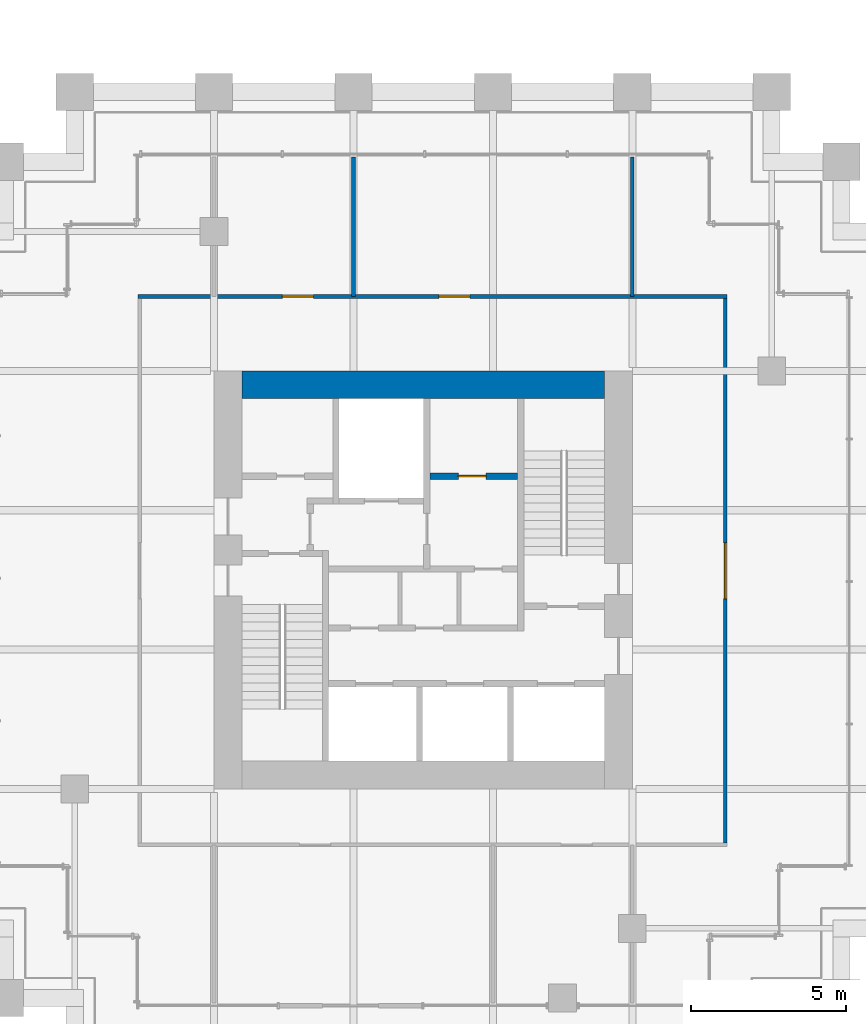
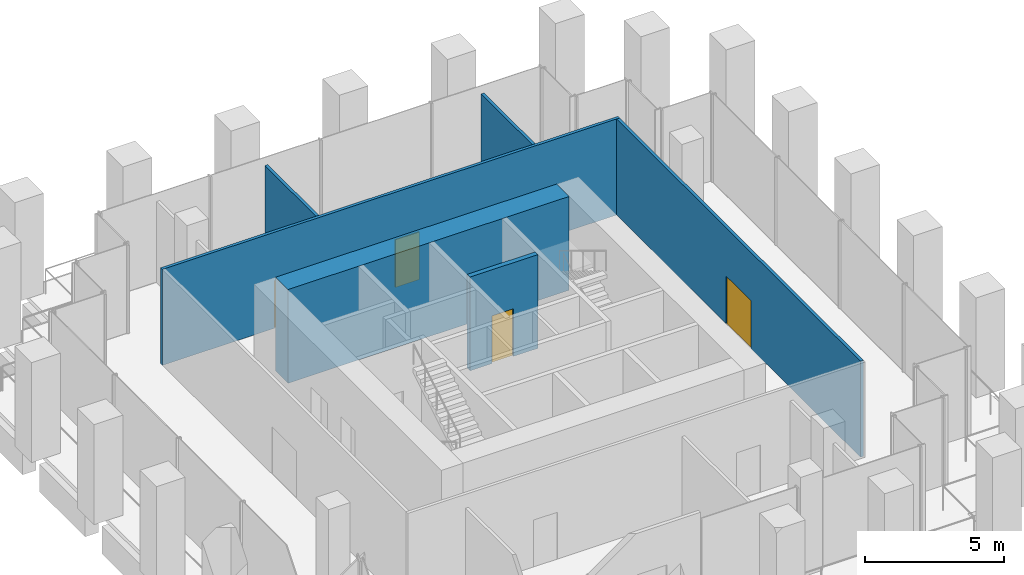
# One storey, part 33 of 36: 6 walls, 4 doors, 4 openings.
"""IFC4 building model written with IfcOpenShell, lengths in metres."""

from ifc_helpers import new_model, si_unit, direction, frame, frame_2d, origin, place, context, subcontext, project, spatial, rectangle, extrude, material, layer, layer_set, type_object, element, fill, save


model = new_model("IFC4")

# Units and contexts
model_context = context("Model", 3, precision=1e-05, world=origin(), true_north=direction((0.0, 1.0)))
body_context = subcontext(model_context, "Body", "Model", "MODEL_VIEW")
ifc_project = project(units=[si_unit("LENGTHUNIT", "METRE"), si_unit("AREAUNIT", "SQUARE_METRE"), si_unit("VOLUMEUNIT", "CUBIC_METRE"), si_unit("PLANEANGLEUNIT", "RADIAN"), si_unit("MASSUNIT", "GRAM", prefix="KILO")], contexts=[model_context])

# Site, building, storey
site_placement = place(None, origin())
site = spatial("IfcSite", under=ifc_project, at=site_placement, CompositionType="ELEMENT")
building_placement = place(site_placement, origin())
building = spatial("IfcBuilding", under=site, at=building_placement, Name="Altepetl Exchange Towers", CompositionType="ELEMENT")
storey_placement = place(building_placement, frame((0.0, 0.0, 25.39990234375)))
storey = spatial("IfcBuildingStorey", under=building, at=storey_placement, Name="L05", CompositionType="ELEMENT", Elevation=25.39990234375)

# Wall
ifc_material_1 = material(Name="Concrete C70/85", Category="concrete")
ifc_layer_1 = layer(ifc_material_1, 0.89990234375)
ifc_layer_set_1 = layer_set([ifc_layer_1], Name="Concrete C70/85")
wall_type_1 = type_object("IfcWallType", Name="Core wall 900 reinforced concrete", PredefinedType="SHEAR", material=ifc_layer_set_1)
wall_1_placement = place(storey_placement, frame((104.39990234375, 49.050048828125, 0.0)))
element("IfcWall", 1, at=wall_1_placement, inside=storey, type_object=wall_type_1, Name="wall:B:L05:K-coreN", PredefinedType="SHEAR", context=body_context, shape_type="SweptSolid", body=[
    extrude(rectangle(XDim=11.7001953125, YDim=0.89990234375, at=frame_2d((5.85009765625, 0.0))), origin(), (0.0, 0.0, 1.0), 4.125),
])

# Wall, openings, doors
ifc_material_2 = material(Name="Gypsum board on steel studs", Category="steel")
ifc_layer_2 = layer(ifc_material_2, 0.125)
ifc_layer_set_2 = layer_set([ifc_layer_2], Name="Gypsum board on steel studs")
wall_type_2 = type_object("IfcWallType", Name="Partition 125 gypsum board on steel studs", PredefinedType="PARTITIONING", material=ifc_layer_set_2)
wall_2_placement = place(storey_placement, frame((101.03759765625, 51.89990234375, 0.0)))
wall_2 = element("IfcWall", 2, at=wall_2_placement, inside=storey, type_object=wall_type_2, Name="wall:B:L05:P02", PredefinedType="PARTITIONING", context=body_context, shape_type="SweptSolid", body=[
    extrude(rectangle(XDim=19.02490234375, YDim=0.125, at=frame_2d((9.512451171875, 0.0))), origin(), (0.0, 0.0, 1.0), 4.22509765625),
])
opening_1_placement = place(wall_2_placement, frame((9.719482421875, 0.0, 0.0)))
opening_1 = element("IfcOpeningElement", 3, at=opening_1_placement, cuts=wall_2, Name="Opening L05.B05", PredefinedType="OPENING", context=body_context, shape_type="SweptSolid", body=[
    extrude(rectangle(XDim=1.0, YDim=2.10009765625, at=frame_2d((0.5, 1.050048828125))), frame((0.0, 0.072509765625, 0.0), z_axis=(0.0, -1.0, 0.0), x_axis=(1.0, 0.0, 0.0)), (0.0, 0.0, 1.0), 0.14501953125),
])
opening_2_placement = place(wall_2_placement, frame((4.66748046875, 0.0, 0.0)))
opening_2 = element("IfcOpeningElement", 4, at=opening_2_placement, cuts=wall_2, Name="Opening L05.B06", PredefinedType="OPENING", context=body_context, shape_type="SweptSolid", body=[
    extrude(rectangle(XDim=1.0, YDim=2.10009765625, at=frame_2d((0.5, 1.050048828125))), frame((0.0, 0.072509765625, 0.0), z_axis=(0.0, -1.0, 0.0), x_axis=(1.0, 0.0, 0.0)), (0.0, 0.0, 1.0), 0.14501953125),
])
ifc_material_3 = material(Name="Steel and timber fire door", Category="steel")
door_type_1 = type_object("IfcDoorType", Name="Fire door 1000 x 2100 single leaf", OperationType="SINGLE_SWING_LEFT", PredefinedType="DOOR", material=ifc_material_3)
door_1_placement = place(opening_1_placement, origin())
door_1 = element("IfcDoor", 5, at=door_1_placement, inside=storey, type_object=door_type_1, Name="door:B:L05:05", OperationType="SINGLE_SWING_LEFT", OverallHeight=2.10009765625, OverallWidth=1.0, PredefinedType="DOOR", context=body_context, shape_type="SweptSolid", body=[
    extrude(rectangle(XDim=1.0, YDim=2.10009765625, at=frame_2d((0.5, 1.050048828125))), frame((0.0, 0.02490234375, 0.0), z_axis=(0.0, -1.0, 0.0), x_axis=(1.0, 0.0, 0.0)), (0.0, 0.0, 1.0), 0.050048828125),
])
fill(opening_1, door_1)
door_2_placement = place(opening_2_placement, origin())
door_2 = element("IfcDoor", 6, at=door_2_placement, inside=storey, type_object=door_type_1, Name="door:B:L05:06", OperationType="SINGLE_SWING_LEFT", OverallHeight=2.10009765625, OverallWidth=1.0, PredefinedType="DOOR", context=body_context, shape_type="SweptSolid", body=[
    extrude(rectangle(XDim=1.0, YDim=2.10009765625, at=frame_2d((0.5, 1.050048828125))), frame((0.0, 0.02490234375, 0.0), z_axis=(0.0, -1.0, 0.0), x_axis=(1.0, 0.0, 0.0)), (0.0, 0.0, 1.0), 0.050048828125),
])
fill(opening_2, door_2)

# Walls
for number, where, z_axis, x_axis, name in (
    (7, (108.0, 51.89990234375, 0.0), (0.0, 0.0, 1.0), (0.0, 1.0, 0.0), "wall:B:L05:P07"),
    (8, (117.0, 51.89990234375, 0.0), (0.0, 0.0, 1.0), (0.0, 1.0, 0.0), "wall:B:L05:P11"),
):
    element("IfcWall", number, at=place(storey_placement, frame(where, z_axis=z_axis, x_axis=x_axis)), inside=storey, type_object=wall_type_2, Name=name, PredefinedType="PARTITIONING", context=body_context, shape_type="SweptSolid", body=[
        extrude(rectangle(XDim=4.5, YDim=0.125, at=frame_2d((2.25, 0.0))), origin(), (0.0, 0.0, 1.0), 3.613037109375),
    ])

# Wall, opening, door
wall_3_placement = place(storey_placement, frame((120.0, 34.262451171875, 0.0), z_axis=(0.0, 0.0, 1.0), x_axis=(0.0, 1.0, 0.0)))
wall_3 = element("IfcWall", 9, at=wall_3_placement, inside=storey, type_object=wall_type_2, Name="wall:B:L05:P12", PredefinedType="PARTITIONING", context=body_context, shape_type="SweptSolid", body=[
    extrude(rectangle(XDim=17.574951171875, YDim=0.125, at=frame_2d((8.78759765625, 0.0))), origin(), (0.0, 0.0, 1.0), 4.22509765625),
])
opening_3_placement = place(wall_3_placement, frame((7.887451171875, 0.0, 0.0)))
opening_3 = element("IfcOpeningElement", 10, at=opening_3_placement, cuts=wall_3, Name="Opening L05.B04", PredefinedType="OPENING", context=body_context, shape_type="SweptSolid", body=[
    extrude(rectangle(XDim=1.800048828125, YDim=2.10009765625, at=frame_2d((0.89990234375, 1.050048828125))), frame((0.0, 0.072509765625, 0.0), z_axis=(0.0, -1.0, 0.0), x_axis=(1.0, 0.0, 0.0)), (0.0, 0.0, 1.0), 0.14501953125),
])
door_type_2 = type_object("IfcDoorType", Name="Fire door 1800 x 2100 double leaf", OperationType="DOUBLE_DOOR_SINGLE_SWING", PredefinedType="DOOR", material=ifc_material_3)
door_3_placement = place(opening_3_placement, frame((1.800048828125, 0.0, 0.0), x_axis=(-1.0, 0.0, 0.0)))
door_3 = element("IfcDoor", 11, at=door_3_placement, inside=storey, type_object=door_type_2, Name="door:B:L05:04", OperationType="DOUBLE_DOOR_SINGLE_SWING", OverallHeight=2.10009765625, OverallWidth=1.800048828125, PredefinedType="DOOR", context=body_context, shape_type="SweptSolid", body=[
    extrude(rectangle(XDim=1.800048828125, YDim=2.10009765625, at=frame_2d((0.89990234375, 1.050048828125))), frame((0.0, 0.02490234375, 0.0), z_axis=(0.0, -1.0, 0.0), x_axis=(1.0, 0.0, 0.0)), (0.0, 0.0, 1.0), 0.050048828125),
])
fill(opening_3, door_3)

ifc_material_4 = material(Name="Concrete C40/50", Category="concrete")
ifc_layer_3 = layer(ifc_material_4, 0.199951171875)
ifc_layer_set_3 = layer_set([ifc_layer_3], Name="Concrete C40/50")
wall_type_3 = type_object("IfcWallType", Name="Shaft wall 200 reinforced concrete", PredefinedType="SHEAR", material=ifc_layer_set_3)
wall_4_placement = place(storey_placement, frame((110.466796875, 46.10009765625, 0.0)))
wall_4 = element("IfcWall", 12, at=wall_4_placement, inside=storey, type_object=wall_type_3, Name="wall:B:L05:K-frontNb", PredefinedType="SHEAR", context=body_context, shape_type="SweptSolid", body=[
    extrude(rectangle(XDim=2.833251953125, YDim=0.199951171875, at=frame_2d((1.41650390625, 0.0))), origin(), (0.0, 0.0, 1.0), 4.125),
])
opening_4_placement = place(wall_4_placement, frame((0.91650390625, 0.0, 0.0)))
opening_4 = element("IfcOpeningElement", 13, at=opening_4_placement, cuts=wall_4, Name="Opening L05.B69", PredefinedType="OPENING", context=body_context, shape_type="SweptSolid", body=[
    extrude(rectangle(XDim=0.89990234375, YDim=2.10009765625, at=frame_2d((0.449951171875, 1.050048828125))), frame((0.0, 0.10986328125, 0.0), z_axis=(0.0, -1.0, 0.0), x_axis=(1.0, 0.0, 0.0)), (0.0, 0.0, 1.0), 0.219970703125),
])
door_type_3 = type_object("IfcDoorType", Name="Fire door 900 x 2100 service room", OperationType="SINGLE_SWING_LEFT", PredefinedType="DOOR", material=ifc_material_3)
door_4_placement = place(opening_4_placement, origin())
door_4 = element("IfcDoor", 14, at=door_4_placement, inside=storey, type_object=door_type_3, Name="door:B:L05:K-dslotN2", OperationType="SINGLE_SWING_RIGHT", OverallHeight=2.10009765625, OverallWidth=0.89990234375, PredefinedType="DOOR", context=body_context, shape_type="SweptSolid", body=[
    extrude(rectangle(XDim=0.89990234375, YDim=2.10009765625, at=frame_2d((0.449951171875, 1.050048828125))), frame((0.0, 0.02490234375, 0.0), z_axis=(0.0, -1.0, 0.0), x_axis=(1.0, 0.0, 0.0)), (0.0, 0.0, 1.0), 0.050048828125),
])
fill(opening_4, door_4)

save(model, "model.ifc")
